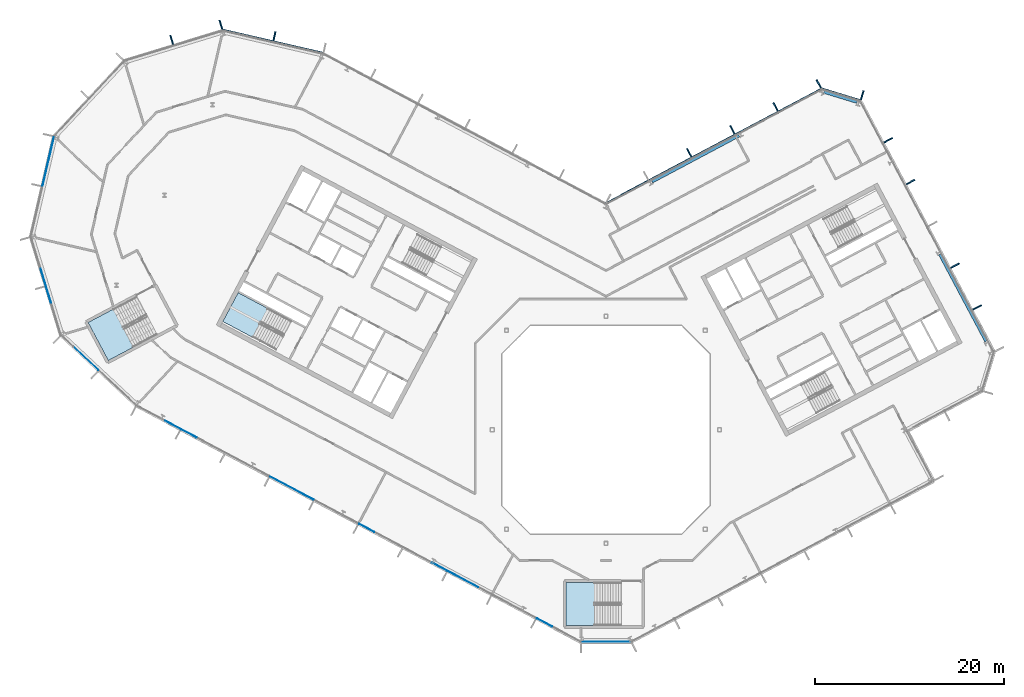
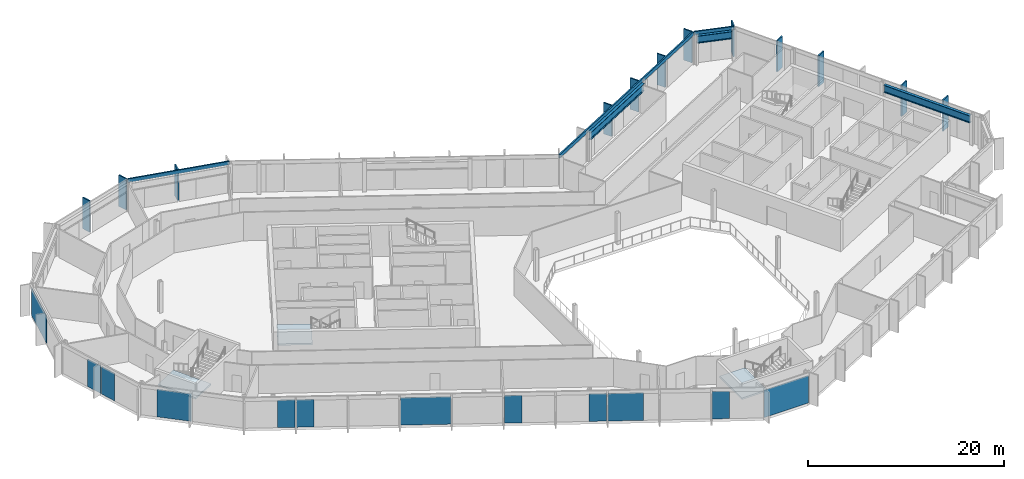
# One storey, part 10 of 26: 15 members, 12 plates, 3 beams, 3 slabs, 13 elements without a shape of their own.
"""IFC4 building model written with IfcOpenShell, lengths in metres."""

from ifc_helpers import new_model, si_unit, direction, frame, origin, origin_2d, place, context, subcontext, project, spatial, polyline, rectangle, i_section, outline, extrude, material, layer, layer_set, material_profile, profile_set, type_object, element, aggregate, save


model = new_model("IFC4")

# Units and contexts
model_context = context("Model", 3, precision=1e-05, world=origin(), true_north=direction((0.0, 1.0)))
body_context = subcontext(model_context, "Body", "Model", "MODEL_VIEW")
ifc_project = project(units=[si_unit("LENGTHUNIT", "METRE"), si_unit("AREAUNIT", "SQUARE_METRE"), si_unit("VOLUMEUNIT", "CUBIC_METRE"), si_unit("PLANEANGLEUNIT", "RADIAN"), si_unit("MASSUNIT", "GRAM", prefix="KILO")], contexts=[model_context])

# Site, building, storey
site_placement = place(None, origin())
site = spatial("IfcSite", under=ifc_project, at=site_placement, CompositionType="ELEMENT")
building_placement = place(site_placement, origin())
building = spatial("IfcBuilding", under=site, at=building_placement, Name="Cormorant Relay Tower", CompositionType="ELEMENT")
storey_placement = place(building_placement, frame((0.0, 0.0, 285.300048828125)))
storey = spatial("IfcBuildingStorey", under=building, at=storey_placement, Name="L64", CompositionType="ELEMENT", Elevation=285.300048828125)

# Curtain wall, members
ifc_material_1 = material(Name="Aluminium 6063-T6 anodised bronze", Category="aluminium")
ifc_layer_1 = layer(ifc_material_1, 0.199951171875)
ifc_layer_set_1 = layer_set([ifc_layer_1], Name="CW1 unitised bronze curtain wall with vertical fins")
curtain_wall_type = type_object("IfcCurtainWallType", Name="CW1 unitised bronze curtain wall with vertical fins", PredefinedType="NOTDEFINED", material=ifc_layer_set_1)
curtain_wall_1_placement = place(storey_placement, origin())
curtain_wall_1 = element("IfcCurtainWall", 1, at=curtain_wall_1_placement, inside=storey, type_object=curtain_wall_type, Name="CW1 curtain wall 6", PredefinedType="NOTDEFINED")
ifc_material_2 = material(Name="Aluminium 6063-T6 anodised bronze", Category="aluminium")
ifc_material_profile_1 = material_profile(ifc_material_2, rectangle(XDim=0.14990234375, YDim=1.0, at=origin_2d()), Name="AL 150x1000")
ifc_profile_set_1 = profile_set([ifc_material_profile_1], Name="Aluminium 6063-T6 anodised bronze")
member_type_1 = type_object("IfcMemberType", Name="CW1 bronze fin mullion 150 x 1000", PredefinedType="MULLION", material=ifc_profile_set_1)
member_1_placement = place(storey_placement, frame((39.222412109375, 12.927001953125, 0.0), z_axis=(0.0, 0.0, 1.0), x_axis=(-0.469471562786, 0.882947592859, 0.0)))
member_1 = element("IfcMember", 2, at=member_1_placement, type_object=member_type_1, Name="CW1 fin 6.2", PredefinedType="MULLION", context=body_context, shape_type="SweptSolid", body=[
    extrude(rectangle(XDim=0.14990234375, YDim=1.0, at=origin_2d()), origin(), (0.0, 0.0, 1.0), 3.89990234375),
])
member_2_placement = place(storey_placement, frame((36.875, 17.341552734375, 0.0), z_axis=(0.0, 0.0, 1.0), x_axis=(-0.469471562786, 0.882947592859, 0.0)))
member_2 = element("IfcMember", 3, at=member_2_placement, type_object=member_type_1, Name="CW1 fin 6.3", PredefinedType="MULLION", context=body_context, shape_type="SweptSolid", body=[
    extrude(rectangle(XDim=0.14990234375, YDim=1.0, at=origin_2d()), origin(), (0.0, 0.0, 1.0), 3.89990234375),
])
member_3_placement = place(storey_placement, frame((32.18017578125, 26.171142578125, 0.0), z_axis=(0.0, 0.0, 1.0), x_axis=(-0.469471562786, 0.882947592859, 0.0)))
member_3 = element("IfcMember", 4, at=member_3_placement, type_object=member_type_1, Name="CW1 fin 6.5", PredefinedType="MULLION", context=body_context, shape_type="SweptSolid", body=[
    extrude(rectangle(XDim=0.14990234375, YDim=1.0, at=origin_2d()), origin(), (0.0, 0.0, 1.0), 3.89990234375),
])
member_4_placement = place(storey_placement, frame((29.832763671875, 30.585693359375, 0.0), z_axis=(0.0, 0.0, 1.0), x_axis=(-0.469471562786, 0.882947592859, 0.0)))
member_4 = element("IfcMember", 5, at=member_4_placement, type_object=member_type_1, Name="CW1 fin 6.6", PredefinedType="MULLION", context=body_context, shape_type="SweptSolid", body=[
    extrude(rectangle(XDim=0.14990234375, YDim=1.0, at=origin_2d()), origin(), (0.0, 0.0, 1.0), 3.89990234375),
])
aggregate(curtain_wall_1, [member_1, member_2, member_3, member_4])

# Curtain wall, member
curtain_wall_2_placement = place(storey_placement, origin())
curtain_wall_2 = element("IfcCurtainWall", 6, at=curtain_wall_2_placement, inside=storey, type_object=curtain_wall_type, Name="CW1 curtain wall 7", PredefinedType="NOTDEFINED")
member_5_placement = place(storey_placement, frame((27.072021484375, 35.34130859375, 0.0), z_axis=(0.0, 0.0, 1.0), x_axis=(-0.956304755963, 0.292371704723, 0.0)))
member_5 = element("IfcMember", 7, at=member_5_placement, type_object=member_type_1, Name="CW1 fin 7.1", PredefinedType="MULLION", context=body_context, shape_type="SweptSolid", body=[
    extrude(rectangle(XDim=0.14990234375, YDim=1.0, at=origin_2d()), origin(), (0.0, 0.0, 1.0), 3.89990234375),
])

# Curtain wall, members
curtain_wall_3_placement = place(storey_placement, origin())
curtain_wall_3 = element("IfcCurtainWall", 8, at=curtain_wall_3_placement, inside=storey, type_object=curtain_wall_type, Name="CW1 curtain wall 8", PredefinedType="NOTDEFINED")
member_6_placement = place(storey_placement, frame((22.4814453125, 36.530517578125, 0.0), z_axis=(0.0, 0.0, 1.0), x_axis=(-0.882947592859, -0.469471562786, 0.0)))
member_6 = element("IfcMember", 9, at=member_6_placement, type_object=member_type_1, Name="CW1 fin 8.1", PredefinedType="MULLION", context=body_context, shape_type="SweptSolid", body=[
    extrude(rectangle(XDim=0.14990234375, YDim=1.0, at=origin_2d()), origin(), (0.0, 0.0, 1.0), 3.89990234375),
])
member_7_placement = place(storey_placement, frame((17.91943359375, 34.104736328125, 0.0), z_axis=(0.0, 0.0, 1.0), x_axis=(-0.882947592859, -0.469471562786, 0.0)))
member_7 = element("IfcMember", 10, at=member_7_placement, type_object=member_type_1, Name="CW1 fin 8.2", PredefinedType="MULLION", context=body_context, shape_type="SweptSolid", body=[
    extrude(rectangle(XDim=0.14990234375, YDim=1.0, at=origin_2d()), origin(), (0.0, 0.0, 1.0), 3.89990234375),
])
member_8_placement = place(storey_placement, frame((13.357421875, 31.67919921875, 0.0), z_axis=(0.0, 0.0, 1.0), x_axis=(-0.882947592859, -0.469471562786, 0.0)))
member_8 = element("IfcMember", 11, at=member_8_placement, type_object=member_type_1, Name="CW1 fin 8.3", PredefinedType="MULLION", context=body_context, shape_type="SweptSolid", body=[
    extrude(rectangle(XDim=0.14990234375, YDim=1.0, at=origin_2d()), origin(), (0.0, 0.0, 1.0), 3.89990234375),
])
member_9_placement = place(storey_placement, frame((8.79541015625, 29.25341796875, 0.0), z_axis=(0.0, 0.0, 1.0), x_axis=(-0.882947592859, -0.469471562786, 0.0)))
member_9 = element("IfcMember", 12, at=member_9_placement, type_object=member_type_1, Name="CW1 fin 8.4", PredefinedType="MULLION", context=body_context, shape_type="SweptSolid", body=[
    extrude(rectangle(XDim=0.14990234375, YDim=1.0, at=origin_2d()), origin(), (0.0, 0.0, 1.0), 3.89990234375),
])

# Curtain wall, member
curtain_wall_4_placement = place(storey_placement, origin())
curtain_wall_4 = element("IfcCurtainWall", 13, at=curtain_wall_4_placement, inside=storey, type_object=curtain_wall_type, Name="CW1 curtain wall 10", PredefinedType="NOTDEFINED")
member_10_placement = place(storey_placement, frame((-35.01220703125, 41.57275390625, 0.0), z_axis=(0.0, 0.0, 1.0), x_axis=(-0.974370064785, 0.224951054344, 0.0)))
member_10 = element("IfcMember", 14, at=member_10_placement, type_object=member_type_1, Name="CW1 fin 10.2", PredefinedType="MULLION", context=body_context, shape_type="SweptSolid", body=[
    extrude(rectangle(XDim=0.14990234375, YDim=1.0, at=origin_2d()), origin(), (0.0, 0.0, 1.0), 3.89990234375),
])

# Curtain wall, members
curtain_wall_5_placement = place(storey_placement, origin())
curtain_wall_5 = element("IfcCurtainWall", 15, at=curtain_wall_5_placement, inside=storey, type_object=curtain_wall_type, Name="CW1 curtain wall 11", PredefinedType="NOTDEFINED")
member_11_placement = place(storey_placement, frame((-40.670166015625, 42.78271484375, 0.0), z_axis=(0.0, 0.0, 1.0), x_axis=(-0.956304755963, -0.292371704723, 0.0)))
member_11 = element("IfcMember", 16, at=member_11_placement, type_object=member_type_1, Name="CW1 fin 11.1", PredefinedType="MULLION", context=body_context, shape_type="SweptSolid", body=[
    extrude(rectangle(XDim=0.14990234375, YDim=1.0, at=origin_2d()), origin(), (0.0, 0.0, 1.0), 3.89990234375),
])
member_12_placement = place(storey_placement, frame((-45.867919921875, 41.193603515625, 0.0), z_axis=(0.0, 0.0, 1.0), x_axis=(-0.956304755963, -0.292371704723, 0.0)))
member_12 = element("IfcMember", 17, at=member_12_placement, type_object=member_type_1, Name="CW1 fin 11.2", PredefinedType="MULLION", context=body_context, shape_type="SweptSolid", body=[
    extrude(rectangle(XDim=0.14990234375, YDim=1.0, at=origin_2d()), origin(), (0.0, 0.0, 1.0), 3.89990234375),
])
aggregate(curtain_wall_5, [member_11, member_12])

# Member
ifc_material_3 = material(Name="Aluminium 6063-T6 anodised bronze", Category="aluminium")
ifc_material_profile_2 = material_profile(ifc_material_3, rectangle(XDim=0.159912109375, YDim=0.449951171875, at=origin_2d()), Name="AL 160x450")
ifc_profile_set_2 = profile_set([ifc_material_profile_2], Name="Aluminium 6063-T6 anodised bronze")
member_type_2 = type_object("IfcMemberType", Name="CW1 bronze transom 160 x 450", PredefinedType="USERDEFINED", material=ifc_profile_set_2)
member_13_placement = place(storey_placement, frame((26.902587890625, 34.78662109375, 3.675048828125), z_axis=(-0.956303761594, 0.292374957137, 0.0), x_axis=(-0.292374957137, -0.956303761594, 0.0)))
member_13 = element("IfcMember", 18, at=member_13_placement, type_object=member_type_2, Name="CW1 transom 7", ObjectType="TRANSOM", PredefinedType="USERDEFINED", context=body_context, shape_type="SweptSolid", body=[
    extrude(rectangle(XDim=0.159912109375, YDim=0.449951171875, at=origin_2d()), origin(), (0.0, 0.0, 1.0), 4.24267578125),
])

aggregate(curtain_wall_2, [member_5, member_13])

member_14_placement = place(storey_placement, frame((22.75390625, 36.018310546875, 3.675048828125), z_axis=(-0.882948156597, -0.469470502547, 0.0), x_axis=(0.469470502547, -0.882948156597, 0.0)))
member_14 = element("IfcMember", 19, at=member_14_placement, type_object=member_type_2, Name="CW1 transom 8", ObjectType="TRANSOM", PredefinedType="USERDEFINED", context=body_context, shape_type="SweptSolid", body=[
    extrude(rectangle(XDim=0.159912109375, YDim=0.449951171875, at=origin_2d()), origin(), (0.0, 0.0, 1.0), 25.834228515625),
])

aggregate(curtain_wall_3, [member_6, member_7, member_8, member_9, member_14])

member_15_placement = place(storey_placement, frame((-29.8466796875, 39.784912109375, 3.675048828125), z_axis=(-0.974365070969, 0.224972683844, 0.0), x_axis=(-0.224972683844, -0.974365070969, 0.0)))
member_15 = element("IfcMember", 20, at=member_15_placement, type_object=member_type_2, Name="CW1 transom 10", ObjectType="TRANSOM", PredefinedType="USERDEFINED", context=body_context, shape_type="SweptSolid", body=[
    extrude(rectangle(XDim=0.159912109375, YDim=0.449951171875, at=origin_2d()), origin(), (0.0, 0.0, 1.0), 10.870361328125),
])

aggregate(curtain_wall_4, [member_10, member_15])

# Beams
ifc_material_4 = material(Name="Steel ASTM A992 (Fy 345 MPa)", Category="steel")
ifc_material_profile_3 = material_profile(ifc_material_4, i_section(OverallWidth=0.307373046875, OverallDepth=0.927001953125, WebThickness=0.019287109375, FlangeThickness=0.031982421875, FilletRadius=0.01904296875, at=origin_2d()), Name="W920x289")
ifc_profile_set_3 = profile_set([ifc_material_profile_3], Name="Steel ASTM A992 (Fy 345 MPa)")
beam_type = type_object("IfcBeamType", Name="Spandrel W920x289", PredefinedType="SPANDREL", material=ifc_profile_set_3)
beam_1_placement = place(storey_placement, frame((40.1591796875, 9.3466796875, 3.076416015625), z_axis=(-0.469474391681, 0.882946088703, 0.0), x_axis=(-0.882946088703, -0.469474391681, 0.0)))
element("IfcBeam", 21, at=beam_1_placement, inside=storey, type_object=beam_type, Name="Spandrel beam L64-006", PredefinedType="SPANDREL", context=body_context, shape_type="SweptSolid", body=[
    extrude(i_section(OverallWidth=0.307373046875, OverallDepth=0.927001953125, WebThickness=0.019287109375, FlangeThickness=0.031982421875, FilletRadius=0.01904296875, at=origin_2d()), origin(), (0.0, 0.0, 1.0), 10.401611328125),
])
beam_2_placement = place(storey_placement, frame((26.512451171875, 34.619873046875, 3.076416015625), z_axis=(-0.956313678807, 0.292342517821, 0.0), x_axis=(-0.292342517821, -0.956313678807, 0.0)))
element("IfcBeam", 22, at=beam_2_placement, inside=storey, type_object=beam_type, Name="Spandrel beam L64-007", PredefinedType="SPANDREL", context=body_context, shape_type="SweptSolid", body=[
    extrude(i_section(OverallWidth=0.307373046875, OverallDepth=0.927001953125, WebThickness=0.019287109375, FlangeThickness=0.031982421875, FilletRadius=0.01904296875, at=origin_2d()), origin(), (0.0, 0.0, 1.0), 3.65185546875),
])
beam_3_placement = place(storey_placement, frame((14.05322265625, 31.082275390625, 3.076416015625), z_axis=(-0.882950644937, -0.469465822617, 0.0), x_axis=(0.469465822617, -0.882950644937, 0.0)))
element("IfcBeam", 23, at=beam_3_placement, inside=storey, type_object=beam_type, Name="Spandrel beam L64-008", PredefinedType="SPANDREL", context=body_context, shape_type="SweptSolid", body=[
    extrude(i_section(OverallWidth=0.307373046875, OverallDepth=0.927001953125, WebThickness=0.019287109375, FlangeThickness=0.031982421875, FilletRadius=0.01904296875, at=origin_2d()), origin(), (0.0, 0.0, 1.0), 10.4013671875),
])

# Curtain wall, plates
curtain_wall_6_placement = place(storey_placement, origin())
curtain_wall_6 = element("IfcCurtainWall", 24, at=curtain_wall_6_placement, inside=storey, type_object=curtain_wall_type, Name="CW1 curtain wall 14", PredefinedType="NOTDEFINED")
ifc_material_5 = material(Name="Tinted laminated glass", Category="glass")
ifc_layer_2 = layer(ifc_material_5, 0.0400390625)
ifc_layer_set_2 = layer_set([ifc_layer_2], Name="CW1 tinted vision panel 1800 module")
plate_type_1 = type_object("IfcPlateType", Name="CW1 tinted vision panel 1800 module", PredefinedType="CURTAIN_PANEL", material=ifc_layer_set_2)
plate_1_placement = place(storey_placement, frame((-59.434814453125, 16.122314453125, 0.0), z_axis=(0.0, 0.0, 1.0), x_axis=(0.292371704723, -0.956304755963, 0.0)))
plate_1 = element("IfcPlate", 25, at=plate_1_placement, type_object=plate_type_1, Name="CW1 panel V01", PredefinedType="CURTAIN_PANEL", context=body_context, shape_type="SweptSolid", body=[
    extrude(rectangle(XDim=1.800048828125, YDim=0.0400390625, at=origin_2d()), origin(), (0.0, 0.0, 1.0), 3.449951171875),
])
plate_2_placement = place(storey_placement, frame((-58.86474609375, 14.25732421875, 0.0), z_axis=(0.0, 0.0, 1.0), x_axis=(0.292371704723, -0.956304755963, 0.0)))
plate_2 = element("IfcPlate", 26, at=plate_2_placement, type_object=plate_type_1, Name="CW1 panel V02", PredefinedType="CURTAIN_PANEL", context=body_context, shape_type="SweptSolid", body=[
    extrude(rectangle(XDim=1.800048828125, YDim=0.0400390625, at=origin_2d()), origin(), (0.0, 0.0, 1.0), 3.449951171875),
])
aggregate(curtain_wall_6, [plate_1, plate_2])

curtain_wall_7_placement = place(storey_placement, origin())
curtain_wall_7 = element("IfcCurtainWall", 27, at=curtain_wall_7_placement, inside=storey, type_object=curtain_wall_type, Name="CW1 curtain wall 16", PredefinedType="NOTDEFINED")
plate_3_placement = place(storey_placement, frame((-45.767578125, 0.5283203125, 0.0), z_axis=(0.0, 0.0, 1.0), x_axis=(0.882947592859, -0.469471562786, 0.0)))
plate_3 = element("IfcPlate", 28, at=plate_3_placement, type_object=plate_type_1, Name="CW1 panel V01", PredefinedType="CURTAIN_PANEL", context=body_context, shape_type="SweptSolid", body=[
    extrude(rectangle(XDim=1.800048828125, YDim=0.0400390625, at=origin_2d()), origin(), (0.0, 0.0, 1.0), 3.449951171875),
])
plate_4_placement = place(storey_placement, frame((-44.0458984375, -0.38720703125, 0.0), z_axis=(0.0, 0.0, 1.0), x_axis=(0.882947592859, -0.469471562786, 0.0)))
plate_4 = element("IfcPlate", 29, at=plate_4_placement, type_object=plate_type_1, Name="CW1 panel V02", PredefinedType="CURTAIN_PANEL", context=body_context, shape_type="SweptSolid", body=[
    extrude(rectangle(XDim=1.800048828125, YDim=0.0400390625, at=origin_2d()), origin(), (0.0, 0.0, 1.0), 3.449951171875),
])
plate_5_placement = place(storey_placement, frame((-25.268798828125, -10.37109375, 0.0), z_axis=(0.0, 0.0, 1.0), x_axis=(0.882947592859, -0.469471562786, 0.0)))
plate_5 = element("IfcPlate", 30, at=plate_5_placement, type_object=plate_type_1, Name="CW1 panel V06", PredefinedType="CURTAIN_PANEL", context=body_context, shape_type="SweptSolid", body=[
    extrude(rectangle(XDim=1.800048828125, YDim=0.0400390625, at=origin_2d()), origin(), (0.0, 0.0, 1.0), 3.449951171875),
])
plate_6_placement = place(storey_placement, frame((-17.601806640625, -14.447509765625, 0.0), z_axis=(0.0, 0.0, 1.0), x_axis=(0.882947592859, -0.469471562786, 0.0)))
plate_6 = element("IfcPlate", 31, at=plate_6_placement, type_object=plate_type_1, Name="CW1 panel V08", PredefinedType="CURTAIN_PANEL", context=body_context, shape_type="SweptSolid", body=[
    extrude(rectangle(XDim=1.800048828125, YDim=0.0400390625, at=origin_2d()), origin(), (0.0, 0.0, 1.0), 3.449951171875),
])
plate_7_placement = place(storey_placement, frame((-6.49169921875, -20.35498046875, 0.0), z_axis=(0.0, 0.0, 1.0), x_axis=(0.882947592859, -0.469471562786, 0.0)))
plate_7 = element("IfcPlate", 32, at=plate_7_placement, type_object=plate_type_1, Name="CW1 panel V11", PredefinedType="CURTAIN_PANEL", context=body_context, shape_type="SweptSolid", body=[
    extrude(rectangle(XDim=1.800048828125, YDim=0.0400390625, at=origin_2d()), origin(), (0.0, 0.0, 1.0), 3.449951171875),
])

# Curtain wall, plate
curtain_wall_8_placement = place(storey_placement, origin())
curtain_wall_8 = element("IfcCurtainWall", 33, at=curtain_wall_8_placement, inside=storey, type_object=curtain_wall_type, Name="CW1 curtain wall 15", PredefinedType="NOTDEFINED")
ifc_material_6 = material(Name="Tinted laminated glass", Category="glass")
ifc_layer_3 = layer(ifc_material_6, 0.0400390625)
ifc_layer_set_3 = layer_set([ifc_layer_3], Name="CW1 tinted vision panel 3600 module")
plate_type_2 = type_object("IfcPlateType", Name="CW1 tinted vision panel 3600 module", PredefinedType="CURTAIN_PANEL", material=ifc_layer_set_3)
plate_8_placement = place(storey_placement, frame((-54.951416015625, 7.55517578125, 0.0), z_axis=(0.0, 0.0, 1.0), x_axis=(0.731353701619, -0.681998360062, 0.0)))
plate_8 = element("IfcPlate", 34, at=plate_8_placement, type_object=plate_type_2, Name="CW1 panel V01", PredefinedType="CURTAIN_PANEL", context=body_context, shape_type="SweptSolid", body=[
    extrude(rectangle(XDim=3.60009765625, YDim=0.0400390625, at=origin_2d()), origin(), (0.0, 0.0, 1.0), 3.449951171875),
])
aggregate(curtain_wall_8, [plate_8])

# Plate
plate_9_placement = place(storey_placement, frame((-15.08544921875, -15.785400390625, 0.0), z_axis=(0.0, 0.0, 1.0), x_axis=(0.882947592859, -0.469471562786, 0.0)))
plate_9 = element("IfcPlate", 35, at=plate_9_placement, type_object=plate_type_2, Name="CW1 panel V09", PredefinedType="CURTAIN_PANEL", context=body_context, shape_type="SweptSolid", body=[
    extrude(rectangle(XDim=3.60009765625, YDim=0.0400390625, at=origin_2d()), origin(), (0.0, 0.0, 1.0), 3.449951171875),
])

# Curtain wall, plate
curtain_wall_9_placement = place(storey_placement, origin())
curtain_wall_9 = element("IfcCurtainWall", 36, at=curtain_wall_9_placement, inside=storey, type_object=curtain_wall_type, Name="CW1 curtain wall 1", PredefinedType="NOTDEFINED")
ifc_material_7 = material(Name="Tinted laminated glass", Category="glass")
ifc_layer_4 = layer(ifc_material_7, 0.0400390625)
ifc_layer_set_4 = layer_set([ifc_layer_4], Name="CW1 tinted vision panel 5400 module")
plate_type_3 = type_object("IfcPlateType", Name="CW1 tinted vision panel 5400 module", PredefinedType="CURTAIN_PANEL", material=ifc_layer_set_4)
plate_10_placement = place(storey_placement, frame((0.03759765625, -22.3955078125, 0.0), z_axis=(0.0, 0.0, 1.0), x_axis=(1.0, 0.0, 0.0)))
plate_10 = element("IfcPlate", 37, at=plate_10_placement, type_object=plate_type_3, Name="CW1 panel V00", PredefinedType="CURTAIN_PANEL", context=body_context, shape_type="SweptSolid", body=[
    extrude(rectangle(XDim=5.22265625, YDim=0.0400390625, at=origin_2d()), origin(), (0.0, 0.0, 1.0), 3.449951171875),
])
aggregate(curtain_wall_9, [plate_10])

curtain_wall_10_placement = place(storey_placement, origin())
curtain_wall_10 = element("IfcCurtainWall", 38, at=curtain_wall_10_placement, inside=storey, type_object=curtain_wall_type, Name="CW1 curtain wall 13", PredefinedType="NOTDEFINED")
plate_11_placement = place(storey_placement, frame((-58.905517578125, 28.341796875, 0.0), z_axis=(0.0, 0.0, 1.0), x_axis=(-0.224951054344, -0.974370064785, 0.0)))
plate_11 = element("IfcPlate", 39, at=plate_11_placement, type_object=plate_type_3, Name="CW1 panel V00", PredefinedType="CURTAIN_PANEL", context=body_context, shape_type="SweptSolid", body=[
    extrude(rectangle(XDim=5.28515625, YDim=0.0400390625, at=origin_2d()), origin(), (0.0, 0.0, 1.0), 3.449951171875),
])
aggregate(curtain_wall_10, [plate_11])

# Plate
plate_12_placement = place(storey_placement, frame((-33.1708984375, -6.169189453125, 0.0), z_axis=(0.0, 0.0, 1.0), x_axis=(0.882947592859, -0.469471562786, 0.0)))
plate_12 = element("IfcPlate", 40, at=plate_12_placement, type_object=plate_type_3, Name="CW1 panel V04", PredefinedType="CURTAIN_PANEL", context=body_context, shape_type="SweptSolid", body=[
    extrude(rectangle(XDim=5.16650390625, YDim=0.0400390625, at=origin_2d()), origin(), (0.0, 0.0, 1.0), 3.449951171875),
])

aggregate(curtain_wall_7, [plate_3, plate_4, plate_12, plate_5, plate_6, plate_9, plate_7])

# Stair, slab
ifc_material_8 = material(Name="Concrete 40 MPa", Category="concrete")
stair_type_1 = type_object("IfcStairType", Name="Exit stair 1500", PredefinedType="HALF_TURN_STAIR", material=ifc_material_8)
stair_1_placement = place(storey_placement, origin())
stair_1 = element("IfcStair", 41, at=stair_1_placement, inside=storey, type_object=stair_type_1, Name="L64 Stair", PredefinedType="HALF_TURN_STAIR")
ifc_material_9 = material(Name="Concrete 40 MPa", Category="concrete")
ifc_layer_5 = layer(ifc_material_9, 0.199951171875)
ifc_layer_set_5 = layer_set([ifc_layer_5], Name="Exit stair landing 200")
slab_type = type_object("IfcSlabType", Name="Exit stair landing 200", PredefinedType="LANDING", material=ifc_layer_set_5)
slab_1_placement = place(storey_placement, frame((0.0, 0.0, 1.75)))
slab_1 = element("IfcSlab", 42, at=slab_1_placement, type_object=slab_type, Name="A2 landing 1", PredefinedType="LANDING", context=body_context, shape_type="SweptSolid", body=[
    extrude(outline(polyline([(-35.71337890625, 12.816650390625), (-38.84765625, 14.483154296875), (-40.467529296875, 11.43701171875), (-37.3330078125, 9.7705078125), (-35.71337890625, 12.816650390625)])), origin(), (0.0, 0.0, 1.0), 0.199951171875),
])
aggregate(stair_1, [slab_1])

ifc_material_10 = material(Name="Concrete 40 MPa", Category="concrete")
stair_type_2 = type_object("IfcStairType", Name="Remote exit stair 2200", PredefinedType="HALF_TURN_STAIR", material=ifc_material_10)
stair_2_placement = place(storey_placement, origin())
stair_2 = element("IfcStair", 43, at=stair_2_placement, inside=storey, type_object=stair_type_2, Name="L64 Stair", PredefinedType="HALF_TURN_STAIR")
slab_2_placement = place(storey_placement, frame((0.0, 0.0, 1.75)))
slab_2 = element("IfcSlab", 44, at=slab_2_placement, type_object=slab_type, Name="RK1 landing 1", PredefinedType="LANDING", context=body_context, shape_type="SweptSolid", body=[
    extrude(outline(polyline([(-1.199951171875, -16.125), (-4.199951171875, -16.125), (-4.199951171875, -20.675048828125), (-1.199951171875, -20.675048828125), (-1.199951171875, -16.125)])), origin(), (0.0, 0.0, 1.0), 0.199951171875),
])
aggregate(stair_2, [slab_2])

stair_3_placement = place(storey_placement, origin())
stair_3 = element("IfcStair", 45, at=stair_3_placement, inside=storey, type_object=stair_type_2, Name="L64 Stair", PredefinedType="HALF_TURN_STAIR")
slab_3_placement = place(storey_placement, frame((0.0, 0.0, 1.75)))
slab_3 = element("IfcSlab", 46, at=slab_3_placement, type_object=slab_type, Name="RP1 landing 1", PredefinedType="LANDING", context=body_context, shape_type="SweptSolid", body=[
    extrude(outline(polyline([(-52.051025390625, 12.7392578125), (-54.699951171875, 11.330810546875), (-52.563720703125, 7.3134765625), (-49.914794921875, 8.721923828125), (-52.051025390625, 12.7392578125)])), origin(), (0.0, 0.0, 1.0), 0.199951171875),
])
aggregate(stair_3, [slab_3])

save(model, "model.ifc")
